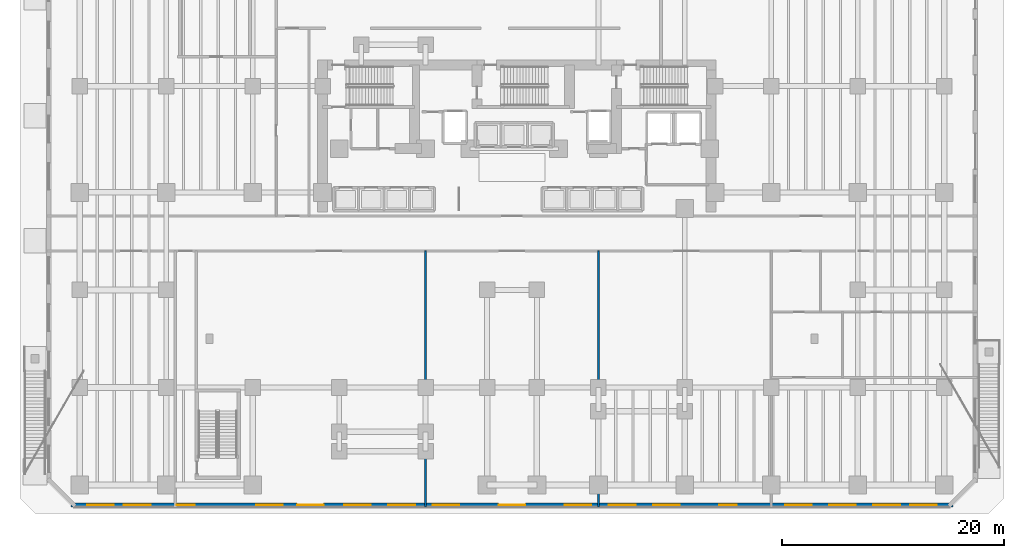
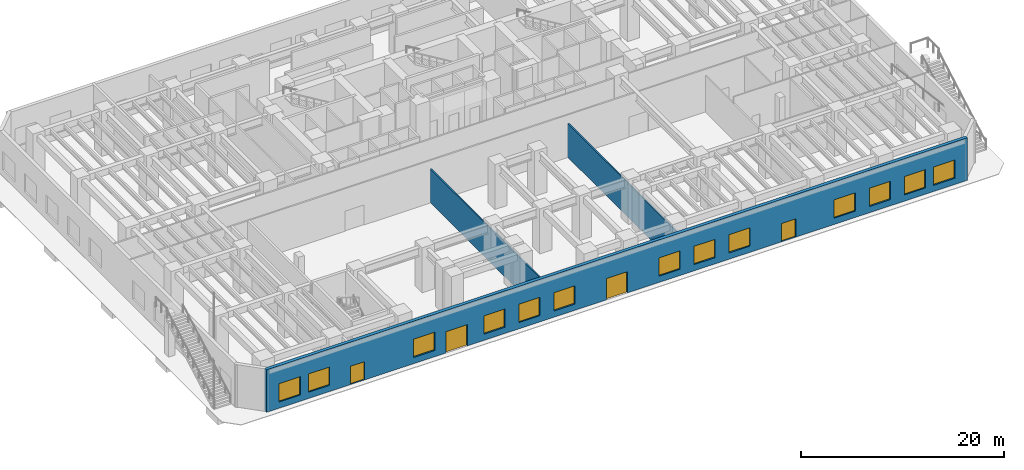
# One storey, part 5 of 17: 13 windows, 4 doors, 3 walls, 17 openings.
"""IFC4 building model written with IfcOpenShell, lengths in metres."""

from ifc_helpers import new_model, si_unit, direction, frame, frame_2d, origin, place, context, subcontext, project, spatial, rectangle, extrude, material, layer, layer_set, type_object, element, fill, save


model = new_model("IFC4")

# Units and contexts
model_context = context("Model", 3, precision=1e-05, world=origin(), true_north=direction((0.0, 1.0)))
body_context = subcontext(model_context, "Body", "Model", "MODEL_VIEW")
ifc_project = project(units=[si_unit("LENGTHUNIT", "METRE"), si_unit("AREAUNIT", "SQUARE_METRE"), si_unit("VOLUMEUNIT", "CUBIC_METRE"), si_unit("PLANEANGLEUNIT", "RADIAN"), si_unit("MASSUNIT", "GRAM", prefix="KILO")], contexts=[model_context])

# Site, building, storey
site_placement = place(None, origin())
site = spatial("IfcSite", under=ifc_project, at=site_placement, CompositionType="ELEMENT")
building_placement = place(site_placement, origin())
building = spatial("IfcBuilding", under=site, at=building_placement, Name="Kestravale Grand Hotel", CompositionType="ELEMENT")
storey_placement = place(building_placement, origin())
storey = spatial("IfcBuildingStorey", under=building, at=storey_placement, Name="L00", CompositionType="ELEMENT", Elevation=0.0)

# Wall, openings, doors, windows
ifc_material_1 = material(Name="Precast concrete f'c 45 MPa", Category="concrete")
ifc_layer_1 = layer(ifc_material_1, 0.3798828125)
ifc_layer_set_1 = layer_set([ifc_layer_1], Name="EW-POD-380")
wall_type_1 = type_object("IfcWallType", Name="EW-POD-380", PredefinedType="SOLIDWALL", material=ifc_layer_set_1)
wall_placement = place(storey_placement, frame((78.7900390625, 0.590087890625, 0.0), z_axis=(0.0, 0.0, 1.0), x_axis=(-1.0, 0.0, 0.0)))
wall = element("IfcWall", 1, at=wall_placement, inside=storey, type_object=wall_type_1, Name="L00 fluted precast facade wall 1", PredefinedType="SOLIDWALL", context=body_context, shape_type="SweptSolid", body=[
    extrude(rectangle(XDim=79.580078125, YDim=0.3798828125, at=frame_2d((39.7900390625, 0.0))), origin(), (0.0, 0.0, 1.0), 5.10009765625),
])
opening_1_placement = place(wall_placement, frame((68.43994140625, 0.0, 0.0)))
opening_1 = element("IfcOpeningElement", 2, at=opening_1_placement, cuts=wall, Name="Opening D-EXIT-1600", PredefinedType="OPENING", context=body_context, shape_type="SweptSolid", body=[
    extrude(rectangle(XDim=1.60009765625, YDim=2.199951171875, at=frame_2d((0.800048828125, 1.10009765625))), frame((0.0, 0.199951171875, 0.0), z_axis=(0.0, -1.0, 0.0), x_axis=(1.0, 0.0, 0.0)), (0.0, 0.0, 1.0), 0.39990234375),
])
opening_2_placement = place(wall_placement, frame((56.7900390625, 0.0, 0.0)))
opening_2 = element("IfcOpeningElement", 3, at=opening_2_placement, cuts=wall, Name="Opening D-ENT-2400", PredefinedType="OPENING", context=body_context, shape_type="SweptSolid", body=[
    extrude(rectangle(XDim=2.39990234375, YDim=2.550048828125, at=frame_2d((1.199951171875, 1.27490234375))), frame((0.0, 0.199951171875, 0.0), z_axis=(0.0, -1.0, 0.0), x_axis=(1.0, 0.0, 0.0)), (0.0, 0.0, 1.0), 0.39990234375),
])
opening_3_placement = place(wall_placement, frame((38.590087890625, 0.0, 0.0)))
opening_3 = element("IfcOpeningElement", 4, at=opening_3_placement, cuts=wall, Name="Opening D-ENT-2400", PredefinedType="OPENING", context=body_context, shape_type="SweptSolid", body=[
    extrude(rectangle(XDim=2.39990234375, YDim=2.550048828125, at=frame_2d((1.199951171875, 1.27490234375))), frame((0.0, 0.199951171875, 0.0), z_axis=(0.0, -1.0, 0.0), x_axis=(1.0, 0.0, 0.0)), (0.0, 0.0, 1.0), 0.39990234375),
])
opening_4_placement = place(wall_placement, frame((19.489990234375, 0.0, 0.0)))
opening_4 = element("IfcOpeningElement", 5, at=opening_4_placement, cuts=wall, Name="Opening D-EXIT-1600", PredefinedType="OPENING", context=body_context, shape_type="SweptSolid", body=[
    extrude(rectangle(XDim=1.60009765625, YDim=2.199951171875, at=frame_2d((0.800048828125, 1.10009765625))), frame((0.0, 0.199951171875, 0.0), z_axis=(0.0, -1.0, 0.0), x_axis=(1.0, 0.0, 0.0)), (0.0, 0.0, 1.0), 0.39990234375),
])
opening_5_placement = place(wall_placement, frame((1.439453125, 0.0, 0.75)))
opening_5 = element("IfcOpeningElement", 6, at=opening_5_placement, cuts=wall, Name="Opening W-POD-2400", PredefinedType="OPENING", context=body_context, shape_type="SweptSolid", body=[
    extrude(rectangle(XDim=2.39990234375, YDim=2.199951171875, at=frame_2d((1.199951171875, 1.10009765625))), frame((0.0, 0.199951171875, 0.0), z_axis=(0.0, -1.0, 0.0), x_axis=(1.0, 0.0, 0.0)), (0.0, 0.0, 1.0), 0.39990234375),
])
opening_6_placement = place(wall_placement, frame((4.7685546875, 0.0, 0.75)))
opening_6 = element("IfcOpeningElement", 7, at=opening_6_placement, cuts=wall, Name="Opening W-POD-2400", PredefinedType="OPENING", context=body_context, shape_type="SweptSolid", body=[
    extrude(rectangle(XDim=2.39990234375, YDim=2.199951171875, at=frame_2d((1.199951171875, 1.10009765625))), frame((0.0, 0.199951171875, 0.0), z_axis=(0.0, -1.0, 0.0), x_axis=(1.0, 0.0, 0.0)), (0.0, 0.0, 1.0), 0.39990234375),
])
opening_7_placement = place(wall_placement, frame((8.74755859375, 0.0, 0.75)))
opening_7 = element("IfcOpeningElement", 8, at=opening_7_placement, cuts=wall, Name="Opening W-POD-2400", PredefinedType="OPENING", context=body_context, shape_type="SweptSolid", body=[
    extrude(rectangle(XDim=2.39990234375, YDim=2.199951171875, at=frame_2d((1.199951171875, 1.10009765625))), frame((0.0, 0.199951171875, 0.0), z_axis=(0.0, -1.0, 0.0), x_axis=(1.0, 0.0, 0.0)), (0.0, 0.0, 1.0), 0.39990234375),
])
opening_8_placement = place(wall_placement, frame((12.7265625, 0.0, 0.75)))
opening_8 = element("IfcOpeningElement", 9, at=opening_8_placement, cuts=wall, Name="Opening W-POD-2400", PredefinedType="OPENING", context=body_context, shape_type="SweptSolid", body=[
    extrude(rectangle(XDim=2.39990234375, YDim=2.199951171875, at=frame_2d((1.199951171875, 1.10009765625))), frame((0.0, 0.199951171875, 0.0), z_axis=(0.0, -1.0, 0.0), x_axis=(1.0, 0.0, 0.0)), (0.0, 0.0, 1.0), 0.39990234375),
])
opening_9_placement = place(wall_placement, frame((24.66357421875, 0.0, 0.75)))
opening_9 = element("IfcOpeningElement", 10, at=opening_9_placement, cuts=wall, Name="Opening W-POD-2400", PredefinedType="OPENING", context=body_context, shape_type="SweptSolid", body=[
    extrude(rectangle(XDim=2.39990234375, YDim=2.199951171875, at=frame_2d((1.199951171875, 1.10009765625))), frame((0.0, 0.199951171875, 0.0), z_axis=(0.0, -1.0, 0.0), x_axis=(1.0, 0.0, 0.0)), (0.0, 0.0, 1.0), 0.39990234375),
])
opening_10_placement = place(wall_placement, frame((28.642578125, 0.0, 0.75)))
opening_10 = element("IfcOpeningElement", 11, at=opening_10_placement, cuts=wall, Name="Opening W-POD-2400", PredefinedType="OPENING", context=body_context, shape_type="SweptSolid", body=[
    extrude(rectangle(XDim=2.39990234375, YDim=2.199951171875, at=frame_2d((1.199951171875, 1.10009765625))), frame((0.0, 0.199951171875, 0.0), z_axis=(0.0, -1.0, 0.0), x_axis=(1.0, 0.0, 0.0)), (0.0, 0.0, 1.0), 0.39990234375),
])
opening_11_placement = place(wall_placement, frame((32.62158203125, 0.0, 0.75)))
opening_11 = element("IfcOpeningElement", 12, at=opening_11_placement, cuts=wall, Name="Opening W-POD-2400", PredefinedType="OPENING", context=body_context, shape_type="SweptSolid", body=[
    extrude(rectangle(XDim=2.39990234375, YDim=2.199951171875, at=frame_2d((1.199951171875, 1.10009765625))), frame((0.0, 0.199951171875, 0.0), z_axis=(0.0, -1.0, 0.0), x_axis=(1.0, 0.0, 0.0)), (0.0, 0.0, 1.0), 0.39990234375),
])
opening_12_placement = place(wall_placement, frame((44.55859375, 0.0, 0.75)))
opening_12 = element("IfcOpeningElement", 13, at=opening_12_placement, cuts=wall, Name="Opening W-POD-2400", PredefinedType="OPENING", context=body_context, shape_type="SweptSolid", body=[
    extrude(rectangle(XDim=2.39990234375, YDim=2.199951171875, at=frame_2d((1.199951171875, 1.10009765625))), frame((0.0, 0.199951171875, 0.0), z_axis=(0.0, -1.0, 0.0), x_axis=(1.0, 0.0, 0.0)), (0.0, 0.0, 1.0), 0.39990234375),
])
opening_13_placement = place(wall_placement, frame((48.53759765625, 0.0, 0.75)))
opening_13 = element("IfcOpeningElement", 14, at=opening_13_placement, cuts=wall, Name="Opening W-POD-2400", PredefinedType="OPENING", context=body_context, shape_type="SweptSolid", body=[
    extrude(rectangle(XDim=2.39990234375, YDim=2.199951171875, at=frame_2d((1.199951171875, 1.10009765625))), frame((0.0, 0.199951171875, 0.0), z_axis=(0.0, -1.0, 0.0), x_axis=(1.0, 0.0, 0.0)), (0.0, 0.0, 1.0), 0.39990234375),
])
opening_14_placement = place(wall_placement, frame((52.5166015625, 0.0, 0.75)))
opening_14 = element("IfcOpeningElement", 15, at=opening_14_placement, cuts=wall, Name="Opening W-POD-2400", PredefinedType="OPENING", context=body_context, shape_type="SweptSolid", body=[
    extrude(rectangle(XDim=2.39990234375, YDim=2.199951171875, at=frame_2d((1.199951171875, 1.10009765625))), frame((0.0, 0.199951171875, 0.0), z_axis=(0.0, -1.0, 0.0), x_axis=(1.0, 0.0, 0.0)), (0.0, 0.0, 1.0), 0.39990234375),
])
opening_15_placement = place(wall_placement, frame((60.474609375, 0.0, 0.75)))
opening_15 = element("IfcOpeningElement", 16, at=opening_15_placement, cuts=wall, Name="Opening W-POD-2400", PredefinedType="OPENING", context=body_context, shape_type="SweptSolid", body=[
    extrude(rectangle(XDim=2.39990234375, YDim=2.199951171875, at=frame_2d((1.199951171875, 1.10009765625))), frame((0.0, 0.199951171875, 0.0), z_axis=(0.0, -1.0, 0.0), x_axis=(1.0, 0.0, 0.0)), (0.0, 0.0, 1.0), 0.39990234375),
])
opening_16_placement = place(wall_placement, frame((72.41162109375, 0.0, 0.75)))
opening_16 = element("IfcOpeningElement", 17, at=opening_16_placement, cuts=wall, Name="Opening W-POD-2400", PredefinedType="OPENING", context=body_context, shape_type="SweptSolid", body=[
    extrude(rectangle(XDim=2.39990234375, YDim=2.199951171875, at=frame_2d((1.199951171875, 1.10009765625))), frame((0.0, 0.199951171875, 0.0), z_axis=(0.0, -1.0, 0.0), x_axis=(1.0, 0.0, 0.0)), (0.0, 0.0, 1.0), 0.39990234375),
])
opening_17_placement = place(wall_placement, frame((75.740478515625, 0.0, 0.75)))
opening_17 = element("IfcOpeningElement", 18, at=opening_17_placement, cuts=wall, Name="Opening W-POD-2400", PredefinedType="OPENING", context=body_context, shape_type="SweptSolid", body=[
    extrude(rectangle(XDim=2.39990234375, YDim=2.199951171875, at=frame_2d((1.199951171875, 1.10009765625))), frame((0.0, 0.199951171875, 0.0), z_axis=(0.0, -1.0, 0.0), x_axis=(1.0, 0.0, 0.0)), (0.0, 0.0, 1.0), 0.39990234375),
])
ifc_material_2 = material(Name="Insulated glazed champagne-bronze aluminium door", Category="aluminium")
door_type_1 = type_object("IfcDoorType", Name="D-ENT-2400", OperationType="NOTDEFINED", PredefinedType="DOOR", material=ifc_material_2)
door_1_placement = place(opening_2_placement, origin())
door_1 = element("IfcDoor", 19, at=door_1_placement, inside=storey, type_object=door_type_1, Name="Main Hotel Street Entrance", OperationType="DOUBLE_DOOR_SINGLE_SWING", OverallHeight=2.550048828125, OverallWidth=2.39990234375, PredefinedType="DOOR", context=body_context, shape_type="SweptSolid", body=[
    extrude(rectangle(XDim=2.39990234375, YDim=2.550048828125, at=frame_2d((1.199951171875, 1.27490234375))), frame((0.0, 0.02490234375, 0.0), z_axis=(0.0, -1.0, 0.0), x_axis=(1.0, 0.0, 0.0)), (0.0, 0.0, 1.0), 0.050048828125),
])
fill(opening_2, door_1)
door_2_placement = place(opening_3_placement, origin())
door_2 = element("IfcDoor", 20, at=door_2_placement, inside=storey, type_object=door_type_1, Name="Observatory Street Entrance", OperationType="DOUBLE_DOOR_SINGLE_SWING", OverallHeight=2.550048828125, OverallWidth=2.39990234375, PredefinedType="DOOR", context=body_context, shape_type="SweptSolid", body=[
    extrude(rectangle(XDim=2.39990234375, YDim=2.550048828125, at=frame_2d((1.199951171875, 1.27490234375))), frame((0.0, 0.02490234375, 0.0), z_axis=(0.0, -1.0, 0.0), x_axis=(1.0, 0.0, 0.0)), (0.0, 0.0, 1.0), 0.050048828125),
])
fill(opening_3, door_2)
ifc_material_3 = material(Name="Galvanised insulated hollow steel door", Category="steel")
door_type_2 = type_object("IfcDoorType", Name="D-EXIT-1600", OperationType="NOTDEFINED", PredefinedType="DOOR", material=ifc_material_3)
door_3_placement = place(opening_1_placement, origin())
door_3 = element("IfcDoor", 21, at=door_3_placement, inside=storey, type_object=door_type_2, Name="Southwest Stair ST-4 Final Exit Discharge Door", OperationType="DOUBLE_DOOR_SINGLE_SWING", OverallHeight=2.199951171875, OverallWidth=1.60009765625, PredefinedType="DOOR", context=body_context, shape_type="SweptSolid", body=[
    extrude(rectangle(XDim=1.60009765625, YDim=2.199951171875, at=frame_2d((0.800048828125, 1.10009765625))), frame((0.0, 0.02490234375, 0.0), z_axis=(0.0, -1.0, 0.0), x_axis=(1.0, 0.0, 0.0)), (0.0, 0.0, 1.0), 0.050048828125),
])
fill(opening_1, door_3)
door_4_placement = place(opening_4_placement, origin())
door_4 = element("IfcDoor", 22, at=door_4_placement, inside=storey, type_object=door_type_2, Name="Brasserie Street Entrance", OperationType="DOUBLE_DOOR_SINGLE_SWING", OverallHeight=2.199951171875, OverallWidth=1.60009765625, PredefinedType="DOOR", context=body_context, shape_type="SweptSolid", body=[
    extrude(rectangle(XDim=1.60009765625, YDim=2.199951171875, at=frame_2d((0.800048828125, 1.10009765625))), frame((0.0, 0.02490234375, 0.0), z_axis=(0.0, -1.0, 0.0), x_axis=(1.0, 0.0, 0.0)), (0.0, 0.0, 1.0), 0.050048828125),
])
fill(opening_4, door_4)
ifc_material_4 = material(Name="Insulated low-E double glazing in aluminium frame", Category="aluminium")
window_type = type_object("IfcWindowType", Name="W-POD-2400", PartitioningType="DOUBLE_PANEL_VERTICAL", PredefinedType="WINDOW", material=ifc_material_4)
window_1_placement = place(opening_5_placement, origin())
window_1 = element("IfcWindow", 23, at=window_1_placement, inside=storey, type_object=window_type, Name="L00 exterior window 1.1", OverallHeight=2.199951171875, OverallWidth=2.39990234375, PartitioningType="SINGLE_PANEL", PredefinedType="WINDOW", context=body_context, shape_type="SweptSolid", body=[
    extrude(rectangle(XDim=2.39990234375, YDim=2.199951171875, at=frame_2d((1.199951171875, 1.10009765625))), frame((0.0, 0.030029296875, 0.0), z_axis=(0.0, -1.0, 0.0), x_axis=(1.0, 0.0, 0.0)), (0.0, 0.0, 1.0), 0.06005859375),
])
fill(opening_5, window_1)
window_2_placement = place(opening_6_placement, origin())
window_2 = element("IfcWindow", 24, at=window_2_placement, inside=storey, type_object=window_type, Name="L00 exterior window 1.2", OverallHeight=2.199951171875, OverallWidth=2.39990234375, PartitioningType="SINGLE_PANEL", PredefinedType="WINDOW", context=body_context, shape_type="SweptSolid", body=[
    extrude(rectangle(XDim=2.39990234375, YDim=2.199951171875, at=frame_2d((1.199951171875, 1.10009765625))), frame((0.0, 0.030029296875, 0.0), z_axis=(0.0, -1.0, 0.0), x_axis=(1.0, 0.0, 0.0)), (0.0, 0.0, 1.0), 0.06005859375),
])
fill(opening_6, window_2)
window_3_placement = place(opening_7_placement, origin())
window_3 = element("IfcWindow", 25, at=window_3_placement, inside=storey, type_object=window_type, Name="L00 exterior window 1.3", OverallHeight=2.199951171875, OverallWidth=2.39990234375, PartitioningType="SINGLE_PANEL", PredefinedType="WINDOW", context=body_context, shape_type="SweptSolid", body=[
    extrude(rectangle(XDim=2.39990234375, YDim=2.199951171875, at=frame_2d((1.199951171875, 1.10009765625))), frame((0.0, 0.030029296875, 0.0), z_axis=(0.0, -1.0, 0.0), x_axis=(1.0, 0.0, 0.0)), (0.0, 0.0, 1.0), 0.06005859375),
])
fill(opening_7, window_3)
window_4_placement = place(opening_8_placement, origin())
window_4 = element("IfcWindow", 26, at=window_4_placement, inside=storey, type_object=window_type, Name="L00 exterior window 1.4", OverallHeight=2.199951171875, OverallWidth=2.39990234375, PartitioningType="SINGLE_PANEL", PredefinedType="WINDOW", context=body_context, shape_type="SweptSolid", body=[
    extrude(rectangle(XDim=2.39990234375, YDim=2.199951171875, at=frame_2d((1.199951171875, 1.10009765625))), frame((0.0, 0.030029296875, 0.0), z_axis=(0.0, -1.0, 0.0), x_axis=(1.0, 0.0, 0.0)), (0.0, 0.0, 1.0), 0.06005859375),
])
fill(opening_8, window_4)
window_5_placement = place(opening_9_placement, origin())
window_5 = element("IfcWindow", 27, at=window_5_placement, inside=storey, type_object=window_type, Name="L00 exterior window 1.5", OverallHeight=2.199951171875, OverallWidth=2.39990234375, PartitioningType="SINGLE_PANEL", PredefinedType="WINDOW", context=body_context, shape_type="SweptSolid", body=[
    extrude(rectangle(XDim=2.39990234375, YDim=2.199951171875, at=frame_2d((1.199951171875, 1.10009765625))), frame((0.0, 0.030029296875, 0.0), z_axis=(0.0, -1.0, 0.0), x_axis=(1.0, 0.0, 0.0)), (0.0, 0.0, 1.0), 0.06005859375),
])
fill(opening_9, window_5)
window_6_placement = place(opening_10_placement, origin())
window_6 = element("IfcWindow", 28, at=window_6_placement, inside=storey, type_object=window_type, Name="L00 exterior window 1.6", OverallHeight=2.199951171875, OverallWidth=2.39990234375, PartitioningType="SINGLE_PANEL", PredefinedType="WINDOW", context=body_context, shape_type="SweptSolid", body=[
    extrude(rectangle(XDim=2.39990234375, YDim=2.199951171875, at=frame_2d((1.199951171875, 1.10009765625))), frame((0.0, 0.030029296875, 0.0), z_axis=(0.0, -1.0, 0.0), x_axis=(1.0, 0.0, 0.0)), (0.0, 0.0, 1.0), 0.06005859375),
])
fill(opening_10, window_6)
window_7_placement = place(opening_11_placement, origin())
window_7 = element("IfcWindow", 29, at=window_7_placement, inside=storey, type_object=window_type, Name="L00 exterior window 1.7", OverallHeight=2.199951171875, OverallWidth=2.39990234375, PartitioningType="SINGLE_PANEL", PredefinedType="WINDOW", context=body_context, shape_type="SweptSolid", body=[
    extrude(rectangle(XDim=2.39990234375, YDim=2.199951171875, at=frame_2d((1.199951171875, 1.10009765625))), frame((0.0, 0.030029296875, 0.0), z_axis=(0.0, -1.0, 0.0), x_axis=(1.0, 0.0, 0.0)), (0.0, 0.0, 1.0), 0.06005859375),
])
fill(opening_11, window_7)
window_8_placement = place(opening_12_placement, origin())
window_8 = element("IfcWindow", 30, at=window_8_placement, inside=storey, type_object=window_type, Name="L00 exterior window 1.8", OverallHeight=2.199951171875, OverallWidth=2.39990234375, PartitioningType="SINGLE_PANEL", PredefinedType="WINDOW", context=body_context, shape_type="SweptSolid", body=[
    extrude(rectangle(XDim=2.39990234375, YDim=2.199951171875, at=frame_2d((1.199951171875, 1.10009765625))), frame((0.0, 0.030029296875, 0.0), z_axis=(0.0, -1.0, 0.0), x_axis=(1.0, 0.0, 0.0)), (0.0, 0.0, 1.0), 0.06005859375),
])
fill(opening_12, window_8)
window_9_placement = place(opening_13_placement, origin())
window_9 = element("IfcWindow", 31, at=window_9_placement, inside=storey, type_object=window_type, Name="L00 exterior window 1.9", OverallHeight=2.199951171875, OverallWidth=2.39990234375, PartitioningType="SINGLE_PANEL", PredefinedType="WINDOW", context=body_context, shape_type="SweptSolid", body=[
    extrude(rectangle(XDim=2.39990234375, YDim=2.199951171875, at=frame_2d((1.199951171875, 1.10009765625))), frame((0.0, 0.030029296875, 0.0), z_axis=(0.0, -1.0, 0.0), x_axis=(1.0, 0.0, 0.0)), (0.0, 0.0, 1.0), 0.06005859375),
])
fill(opening_13, window_9)
window_10_placement = place(opening_14_placement, origin())
window_10 = element("IfcWindow", 32, at=window_10_placement, inside=storey, type_object=window_type, Name="L00 exterior window 1.10", OverallHeight=2.199951171875, OverallWidth=2.39990234375, PartitioningType="SINGLE_PANEL", PredefinedType="WINDOW", context=body_context, shape_type="SweptSolid", body=[
    extrude(rectangle(XDim=2.39990234375, YDim=2.199951171875, at=frame_2d((1.199951171875, 1.10009765625))), frame((0.0, 0.030029296875, 0.0), z_axis=(0.0, -1.0, 0.0), x_axis=(1.0, 0.0, 0.0)), (0.0, 0.0, 1.0), 0.06005859375),
])
fill(opening_14, window_10)
window_11_placement = place(opening_15_placement, origin())
window_11 = element("IfcWindow", 33, at=window_11_placement, inside=storey, type_object=window_type, Name="L00 exterior window 1.11", OverallHeight=2.199951171875, OverallWidth=2.39990234375, PartitioningType="SINGLE_PANEL", PredefinedType="WINDOW", context=body_context, shape_type="SweptSolid", body=[
    extrude(rectangle(XDim=2.39990234375, YDim=2.199951171875, at=frame_2d((1.199951171875, 1.10009765625))), frame((0.0, 0.030029296875, 0.0), z_axis=(0.0, -1.0, 0.0), x_axis=(1.0, 0.0, 0.0)), (0.0, 0.0, 1.0), 0.06005859375),
])
fill(opening_15, window_11)
window_12_placement = place(opening_16_placement, origin())
window_12 = element("IfcWindow", 34, at=window_12_placement, inside=storey, type_object=window_type, Name="L00 exterior window 1.12", OverallHeight=2.199951171875, OverallWidth=2.39990234375, PartitioningType="SINGLE_PANEL", PredefinedType="WINDOW", context=body_context, shape_type="SweptSolid", body=[
    extrude(rectangle(XDim=2.39990234375, YDim=2.199951171875, at=frame_2d((1.199951171875, 1.10009765625))), frame((0.0, 0.030029296875, 0.0), z_axis=(0.0, -1.0, 0.0), x_axis=(1.0, 0.0, 0.0)), (0.0, 0.0, 1.0), 0.06005859375),
])
fill(opening_16, window_12)
window_13_placement = place(opening_17_placement, origin())
window_13 = element("IfcWindow", 35, at=window_13_placement, inside=storey, type_object=window_type, Name="L00 exterior window 1.13", OverallHeight=2.199951171875, OverallWidth=2.39990234375, PartitioningType="SINGLE_PANEL", PredefinedType="WINDOW", context=body_context, shape_type="SweptSolid", body=[
    extrude(rectangle(XDim=2.39990234375, YDim=2.199951171875, at=frame_2d((1.199951171875, 1.10009765625))), frame((0.0, 0.030029296875, 0.0), z_axis=(0.0, -1.0, 0.0), x_axis=(1.0, 0.0, 0.0)), (0.0, 0.0, 1.0), 0.06005859375),
])
fill(opening_17, window_13)

# Walls
ifc_material_5 = material(Name="Double-stud STC 52 acoustic demising partition", Category="other")
ifc_layer_2 = layer(ifc_material_5, 0.14990234375)
ifc_layer_set_2 = layer_set([ifc_layer_2], Name="IW-UNIT-150")
wall_type_2 = type_object("IfcWallType", Name="IW-UNIT-150", PredefinedType="PARTITIONING", material=ifc_layer_set_2)
for number, where, z_axis, x_axis, name in (
    (36, (31.199951171875, 0.419921875, 0.0), (0.0, 0.0, 1.0), (0.0, 1.0, 0.0), "W-L00-SDIV-31"),
    (37, (46.800048828125, 0.419921875, 0.0), (0.0, 0.0, 1.0), (0.0, 1.0, 0.0), "W-L00-SDIV-46"),
):
    element("IfcWall", number, at=place(storey_placement, frame(where, z_axis=z_axis, x_axis=x_axis)), inside=storey, type_object=wall_type_2, Name=name, PredefinedType="PARTITIONING", context=body_context, shape_type="SweptSolid", body=[
        extrude(rectangle(XDim=23.10009765625, YDim=0.14990234375, at=frame_2d((11.550048828125, 0.0))), origin(), (0.0, 0.0, 1.0), 4.06005859375),
    ])

save(model, "model.ifc")
